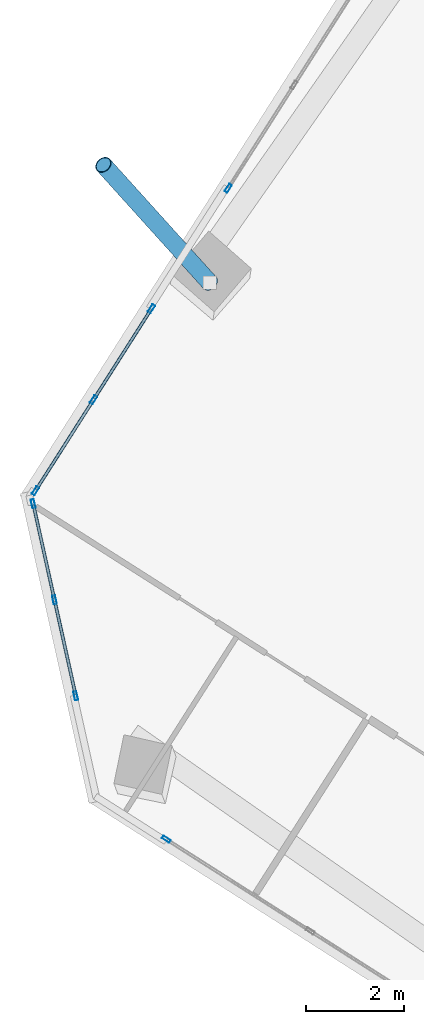
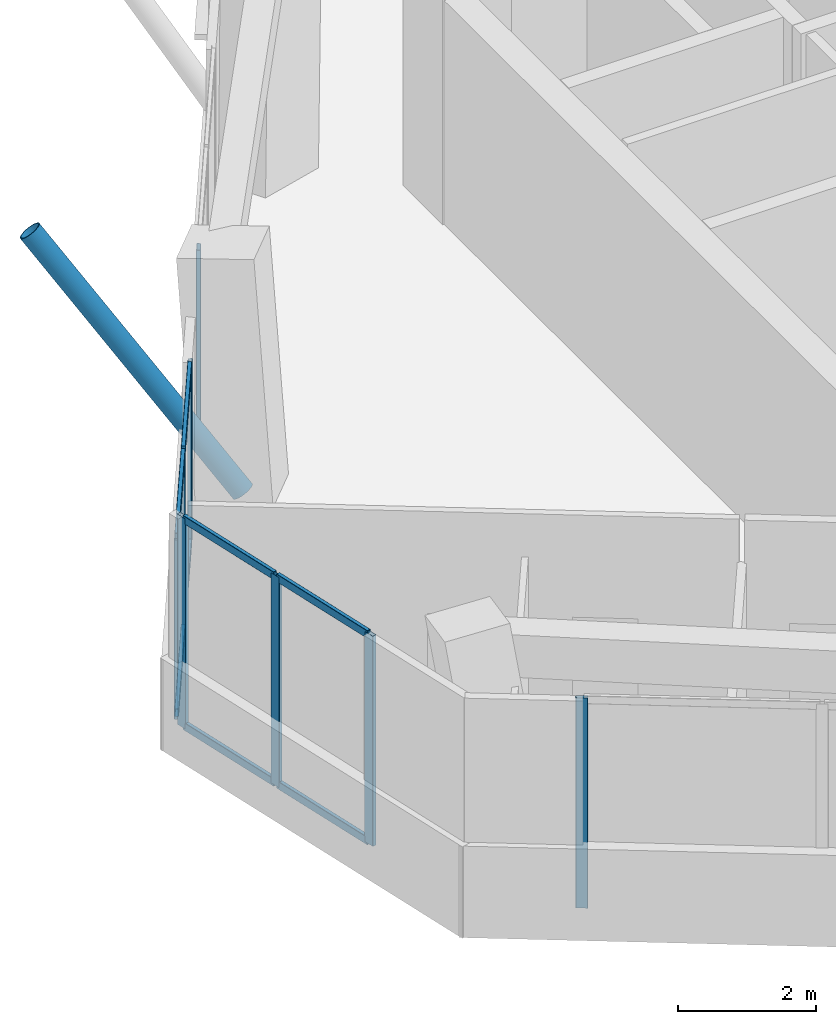
# One storey, part 5 of 24: 17 members, 4 elements without a shape of their own.
"""IFC4 building model written with IfcOpenShell, lengths in metres."""

from ifc_helpers import new_model, si_unit, direction, frame, origin, origin_2d, place, context, subcontext, project, spatial, hollow_rectangle, hollow_circle, extrude, source, transform, mapped, material, material_profile, profile_set, type_object, element, aggregate, save


model = new_model("IFC4")

# Units and contexts
model_context = context("Model", 3, precision=1e-05, world=origin(), true_north=direction((0.0, 1.0)))
body_context = subcontext(model_context, "Body", "Model", "MODEL_VIEW")
ifc_project = project(units=[si_unit("LENGTHUNIT", "METRE"), si_unit("AREAUNIT", "SQUARE_METRE"), si_unit("VOLUMEUNIT", "CUBIC_METRE"), si_unit("PLANEANGLEUNIT", "RADIAN"), si_unit("MASSUNIT", "GRAM", prefix="KILO")], contexts=[model_context])

# Site, building, storey
site_placement = place(None, origin())
site = spatial("IfcSite", under=ifc_project, at=site_placement, CompositionType="ELEMENT")
building_placement = place(site_placement, origin())
building = spatial("IfcBuilding", under=site, at=building_placement, Name="Torre Montelarca", CompositionType="ELEMENT")
storey_placement = place(building_placement, frame((0.0, 0.0, 191.800048828125)))
storey = spatial("IfcBuildingStorey", under=building, at=storey_placement, Name="L43", CompositionType="ELEMENT", Elevation=191.800048828125)

# Member
ifc_material_1 = material(Name="Steel ASTM A500 Grade C", Category="steel")
ifc_material_profile_1 = material_profile(ifc_material_1, hollow_circle(Radius=0.177734375, WallThickness=0.015869140625, at=origin_2d()), Name="HSS355.6X15.9", Category="steel")
ifc_profile_set_1 = profile_set([ifc_material_profile_1], Name="Steel ASTM A500 Grade C")
member_type_1 = type_object("IfcMemberType", Name="MB-BR-CHS356-EXT", PredefinedType="BRACE", material=ifc_profile_set_1)
shared_shape_1 = source(origin(), body_context, "Body", "SweptSolid", [
    extrude(hollow_circle(Radius=0.177734375, WallThickness=0.015869140625, at=origin_2d()), origin(), (0.0, 0.0, 1.0), 5.082763671875),
])
member_1_placement = place(storey_placement, frame((2.990478515625, 34.306396484375, 0.14990234375), z_axis=(-0.427971992229, 0.474371649299, 0.769292865044), x_axis=(-0.742486137458, -0.66986143021, 0.0)))
element("IfcMember", 1, at=member_1_placement, inside=storey, type_object=member_type_1, Name="L44 Sliding Tray Exterior Diagonal Raker Strut W1", PredefinedType="BRACE", context=body_context, shape_type="MappedRepresentation", body=[
    mapped(shared_shape_1, transform((0.0, 0.0, 0.0), scale=1.0)),
])

# Curtain wall, member
ifc_material_2 = material(Name="Insulated low-E laminated glass", Category="glass")
curtain_wall_type = type_object("IfcCurtainWallType", Name="CW-SYS-Z2", PredefinedType="USERDEFINED", material=ifc_material_2)
curtain_wall_1_placement = place(storey_placement, origin())
curtain_wall_1 = element("IfcCurtainWall", 2, at=curtain_wall_1_placement, inside=storey, type_object=curtain_wall_type, Name="L43 Curtain Wall Run CW-T3-L43-E01-B1", ObjectType="UNITISED GLAZING", PredefinedType="USERDEFINED")
ifc_material_3 = material(Name="Anodised aluminium AA 6063-T6", Category="aluminium")
ifc_material_profile_2 = material_profile(ifc_material_3, hollow_rectangle(XDim=0.06494140625, YDim=0.179931640625, WallThickness=0.00390625, InnerFilletRadius=0.00390625, OuterFilletRadius=0.008056640625, at=origin_2d()), Name="ALU65X180X4", Category="aluminium")
ifc_profile_set_2 = profile_set([ifc_material_profile_2], Name="Anodised aluminium AA 6063-T6")
member_type_2 = type_object("IfcMemberType", Name="CWM-ALU180", PredefinedType="MULLION", material=ifc_profile_set_2)
shared_shape_2 = source(origin(), body_context, "Body", "SweptSolid", [
    extrude(hollow_rectangle(XDim=0.06494140625, YDim=0.179931640625, WallThickness=0.00390625, InnerFilletRadius=0.00390625, OuterFilletRadius=0.008056640625, at=origin_2d()), origin(), (0.0, 0.0, 1.0), 3.719970703125),
])
member_2_placement = place(storey_placement, frame((2.1025390625, 22.93212890625, 0.0), z_axis=(0.0, 0.0, 1.0), x_axis=(0.537305573022, 0.843387645866, 0.0)))
member_2 = element("IfcMember", 3, at=member_2_placement, type_object=member_type_2, Name="CW mullion 1", PredefinedType="MULLION", context=body_context, shape_type="MappedRepresentation", body=[
    mapped(shared_shape_2, transform((0.0, 0.0, 0.0), scale=1.0)),
])
aggregate(curtain_wall_1, [member_2])

# Curtain wall, members
curtain_wall_2_placement = place(storey_placement, origin())
curtain_wall_2 = element("IfcCurtainWall", 4, at=curtain_wall_2_placement, inside=storey, type_object=curtain_wall_type, Name="L43 Curtain Wall Run CW-T3-L43-E11-B1", ObjectType="UNITISED GLAZING", PredefinedType="USERDEFINED")
member_3_placement = place(storey_placement, frame((-0.619140625, 29.790283203125, 0.0), z_axis=(0.0, 0.0, 1.0), x_axis=(0.976292880622, 0.216453716178, 0.0)))
member_3 = element("IfcMember", 5, at=member_3_placement, type_object=member_type_2, Name="CW mullion 1", PredefinedType="MULLION", context=body_context, shape_type="MappedRepresentation", body=[
    mapped(shared_shape_2, transform((0.0, 0.0, 0.0), scale=1.0)),
])
member_4_placement = place(storey_placement, frame((-0.183837890625, 27.8271484375, 0.0), z_axis=(0.0, 0.0, 1.0), x_axis=(0.976292880622, 0.216453716178, 0.0)))
member_4 = element("IfcMember", 6, at=member_4_placement, type_object=member_type_2, Name="CW mullion 2", PredefinedType="MULLION", context=body_context, shape_type="MappedRepresentation", body=[
    mapped(shared_shape_2, transform((0.0, 0.0, 0.0), scale=1.0)),
])
member_5_placement = place(storey_placement, frame((0.25146484375, 25.86376953125, 0.0), z_axis=(0.0, 0.0, 1.0), x_axis=(0.976292880622, 0.216453716178, 0.0)))
member_5 = element("IfcMember", 7, at=member_5_placement, type_object=member_type_2, Name="CW mullion 3", PredefinedType="MULLION", context=body_context, shape_type="MappedRepresentation", body=[
    mapped(shared_shape_2, transform((0.0, 0.0, 0.0), scale=1.0)),
])

# Curtain wall, member
curtain_wall_3_placement = place(storey_placement, origin())
curtain_wall_3 = element("IfcCurtainWall", 8, at=curtain_wall_3_placement, inside=storey, type_object=curtain_wall_type, Name="L43 Curtain Wall Run CW-T3-L43-E10-B2", ObjectType="UNITISED GLAZING", PredefinedType="USERDEFINED")
shared_shape_3 = source(origin(), body_context, "Body", "SweptSolid", [
    extrude(hollow_rectangle(XDim=0.06494140625, YDim=0.179931640625, WallThickness=0.00390625, InnerFilletRadius=0.00390625, OuterFilletRadius=0.008056640625, at=origin_2d()), origin(), (0.0, 0.0, 1.0), 3.175048828125),
])
member_6_placement = place(storey_placement, frame((3.366455078125, 36.23681640625, 0.0), z_axis=(0.0, 0.0, 1.0), x_axis=(0.843390246522, -0.537301490851, 0.0)))
member_6 = element("IfcMember", 9, at=member_6_placement, type_object=member_type_2, Name="CW mullion 3", PredefinedType="MULLION", context=body_context, shape_type="MappedRepresentation", body=[
    mapped(shared_shape_3, transform((0.0, 0.0, 0.0), scale=1.0)),
])
aggregate(curtain_wall_3, [member_6])

# Curtain wall, members
curtain_wall_4_placement = place(storey_placement, origin())
curtain_wall_4 = element("IfcCurtainWall", 10, at=curtain_wall_4_placement, inside=storey, type_object=curtain_wall_type, Name="L43 Curtain Wall Run CW-T3-L43-E10-B3", ObjectType="UNITISED GLAZING", PredefinedType="USERDEFINED")
member_7_placement = place(storey_placement, frame((1.798828125, 33.776123046875, 0.0), z_axis=(0.0, 0.0, 1.0), x_axis=(0.843393876969, -0.537295792178, 0.0)))
member_7 = element("IfcMember", 11, at=member_7_placement, type_object=member_type_2, Name="CW mullion 1", PredefinedType="MULLION", context=body_context, shape_type="MappedRepresentation", body=[
    mapped(shared_shape_3, transform((0.0, 0.0, 0.0), scale=1.0)),
])
member_8_placement = place(storey_placement, frame((0.613037109375, 31.91455078125, 0.0), z_axis=(0.0, 0.0, 1.0), x_axis=(0.843393876969, -0.537295792178, 0.0)))
member_8 = element("IfcMember", 12, at=member_8_placement, type_object=member_type_2, Name="CW mullion 2", PredefinedType="MULLION", context=body_context, shape_type="MappedRepresentation", body=[
    mapped(shared_shape_3, transform((0.0, 0.0, 0.0), scale=1.0)),
])
member_9_placement = place(storey_placement, frame((-0.57275390625, 30.05322265625, 0.0), z_axis=(0.0, 0.0, 1.0), x_axis=(0.843393876969, -0.537295792178, 0.0)))
member_9 = element("IfcMember", 13, at=member_9_placement, type_object=member_type_2, Name="CW mullion 3", PredefinedType="MULLION", context=body_context, shape_type="MappedRepresentation", body=[
    mapped(shared_shape_3, transform((0.0, 0.0, 0.0), scale=1.0)),
])
ifc_material_profile_3 = material_profile(ifc_material_3, hollow_rectangle(XDim=0.06494140625, YDim=0.139892578125, WallThickness=0.00390625, InnerFilletRadius=0.00390625, OuterFilletRadius=0.008056640625, at=origin_2d()), Name="ALU65X140X4", Category="aluminium")
ifc_profile_set_3 = profile_set([ifc_material_profile_3], Name="Anodised aluminium AA 6063-T6")
member_type_3 = type_object("IfcMemberType", Name="CWT-ALU140", PredefinedType="USERDEFINED", material=ifc_profile_set_3)
shared_shape_4 = source(origin(), body_context, "Body", "SweptSolid", [
    extrude(hollow_rectangle(XDim=0.06494140625, YDim=0.139892578125, WallThickness=0.00390625, InnerFilletRadius=0.00390625, OuterFilletRadius=0.008056640625, at=origin_2d()), origin(), (0.0, 0.0, 1.0), 2.14208984375),
])
member_10_placement = place(storey_placement, frame((0.595703125, 31.88720703125, 0.032470703125), z_axis=(-0.537354737632, -0.843356322052, 0.0), x_axis=(0.843356322052, -0.537354737632, 0.0)))
member_10 = element("IfcMember", 14, at=member_10_placement, type_object=member_type_3, Name="CW transom 2.1", ObjectType="TRANSOM", PredefinedType="USERDEFINED", context=body_context, shape_type="MappedRepresentation", body=[
    mapped(shared_shape_4, transform((0.0, 0.0, 0.0), scale=1.0)),
])
member_11_placement = place(storey_placement, frame((0.595703125, 31.88720703125, 3.142333984375), z_axis=(-0.537354737632, -0.843356322052, 0.0), x_axis=(0.843356322052, -0.537354737632, 0.0)))
member_11 = element("IfcMember", 15, at=member_11_placement, type_object=member_type_3, Name="CW transom 2.2", ObjectType="TRANSOM", PredefinedType="USERDEFINED", context=body_context, shape_type="MappedRepresentation", body=[
    mapped(shared_shape_4, transform((0.0, 0.0, 0.0), scale=1.0)),
])
shared_shape_5 = source(origin(), body_context, "Body", "SweptSolid", [
    extrude(hollow_rectangle(XDim=0.06494140625, YDim=0.139892578125, WallThickness=0.00390625, InnerFilletRadius=0.00390625, OuterFilletRadius=0.008056640625, at=origin_2d()), origin(), (0.0, 0.0, 1.0), 2.142333984375),
])
member_12_placement = place(storey_placement, frame((1.781494140625, 33.748779296875, 0.032470703125), z_axis=(-0.537222028773, -0.843440864436, 0.0), x_axis=(0.843440864436, -0.537222028773, 0.0)))
member_12 = element("IfcMember", 16, at=member_12_placement, type_object=member_type_3, Name="CW transom 1.1", ObjectType="TRANSOM", PredefinedType="USERDEFINED", context=body_context, shape_type="MappedRepresentation", body=[
    mapped(shared_shape_5, transform((0.0, 0.0, 0.0), scale=1.0)),
])
member_13_placement = place(storey_placement, frame((1.781494140625, 33.748779296875, 3.142333984375), z_axis=(-0.537222028773, -0.843440864436, 0.0), x_axis=(0.843440864436, -0.537222028773, 0.0)))
member_13 = element("IfcMember", 17, at=member_13_placement, type_object=member_type_3, Name="CW transom 1.2", ObjectType="TRANSOM", PredefinedType="USERDEFINED", context=body_context, shape_type="MappedRepresentation", body=[
    mapped(shared_shape_5, transform((0.0, 0.0, 0.0), scale=1.0)),
])
aggregate(curtain_wall_4, [member_7, member_8, member_9, member_12, member_13, member_10, member_11])

# Member
shared_shape_6 = source(origin(), body_context, "Body", "SweptSolid", [
    extrude(hollow_rectangle(XDim=0.06494140625, YDim=0.139892578125, WallThickness=0.00390625, InnerFilletRadius=0.00390625, OuterFilletRadius=0.008056640625, at=origin_2d()), origin(), (0.0, 0.0, 1.0), 1.946044921875),
])
member_14_placement = place(storey_placement, frame((-0.1767578125, 27.79541015625, 0.032470703125), z_axis=(0.216412365954, -0.976302047454, 0.0), x_axis=(0.976302047454, 0.216412365954, 0.0)))
member_14 = element("IfcMember", 18, at=member_14_placement, type_object=member_type_3, Name="CW transom 2.1", ObjectType="TRANSOM", PredefinedType="USERDEFINED", context=body_context, shape_type="MappedRepresentation", body=[
    mapped(shared_shape_6, transform((0.0, 0.0, 0.0), scale=1.0)),
])

member_15_placement = place(storey_placement, frame((-0.1767578125, 27.79541015625, 3.6875), z_axis=(0.216412365954, -0.976302047454, 0.0), x_axis=(0.976302047454, 0.216412365954, 0.0)))
member_15 = element("IfcMember", 19, at=member_15_placement, type_object=member_type_3, Name="CW transom 2.2", ObjectType="TRANSOM", PredefinedType="USERDEFINED", context=body_context, shape_type="MappedRepresentation", body=[
    mapped(shared_shape_6, transform((0.0, 0.0, 0.0), scale=1.0)),
])

shared_shape_7 = source(origin(), body_context, "Body", "SweptSolid", [
    extrude(hollow_rectangle(XDim=0.06494140625, YDim=0.139892578125, WallThickness=0.00390625, InnerFilletRadius=0.00390625, OuterFilletRadius=0.008056640625, at=origin_2d()), origin(), (0.0, 0.0, 1.0), 1.94580078125),
])
member_16_placement = place(storey_placement, frame((-0.612060546875, 29.758544921875, 0.032470703125), z_axis=(0.21643887604, -0.976296170708, 0.0), x_axis=(0.976296170708, 0.21643887604, 0.0)))
member_16 = element("IfcMember", 20, at=member_16_placement, type_object=member_type_3, Name="CW transom 1.1", ObjectType="TRANSOM", PredefinedType="USERDEFINED", context=body_context, shape_type="MappedRepresentation", body=[
    mapped(shared_shape_7, transform((0.0, 0.0, 0.0), scale=1.0)),
])

member_17_placement = place(storey_placement, frame((-0.612060546875, 29.758544921875, 3.6875), z_axis=(0.21643887604, -0.976296170708, 0.0), x_axis=(0.976296170708, 0.21643887604, 0.0)))
member_17 = element("IfcMember", 21, at=member_17_placement, type_object=member_type_3, Name="CW transom 1.2", ObjectType="TRANSOM", PredefinedType="USERDEFINED", context=body_context, shape_type="MappedRepresentation", body=[
    mapped(shared_shape_7, transform((0.0, 0.0, 0.0), scale=1.0)),
])

aggregate(curtain_wall_2, [member_3, member_4, member_5, member_16, member_17, member_14, member_15])

save(model, "model.ifc")
